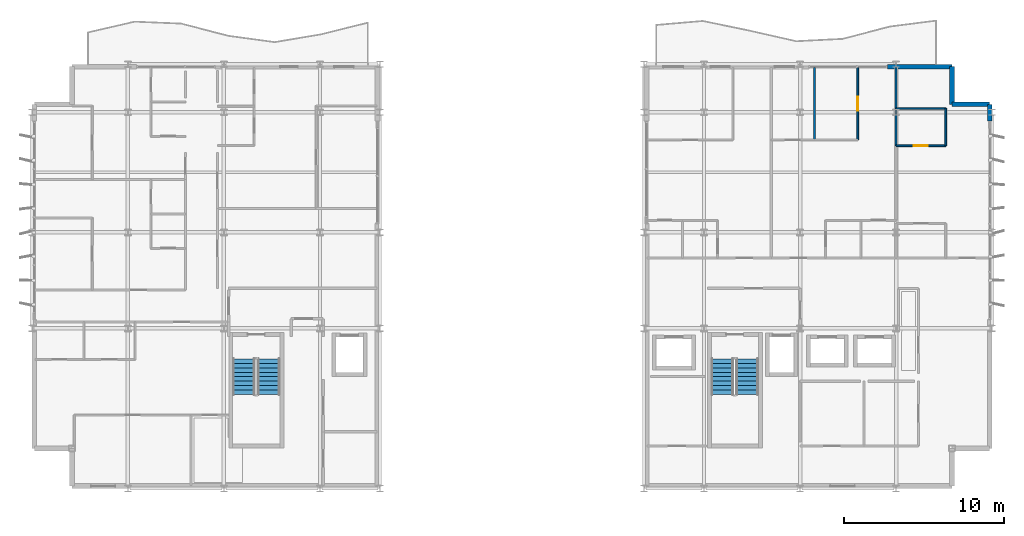
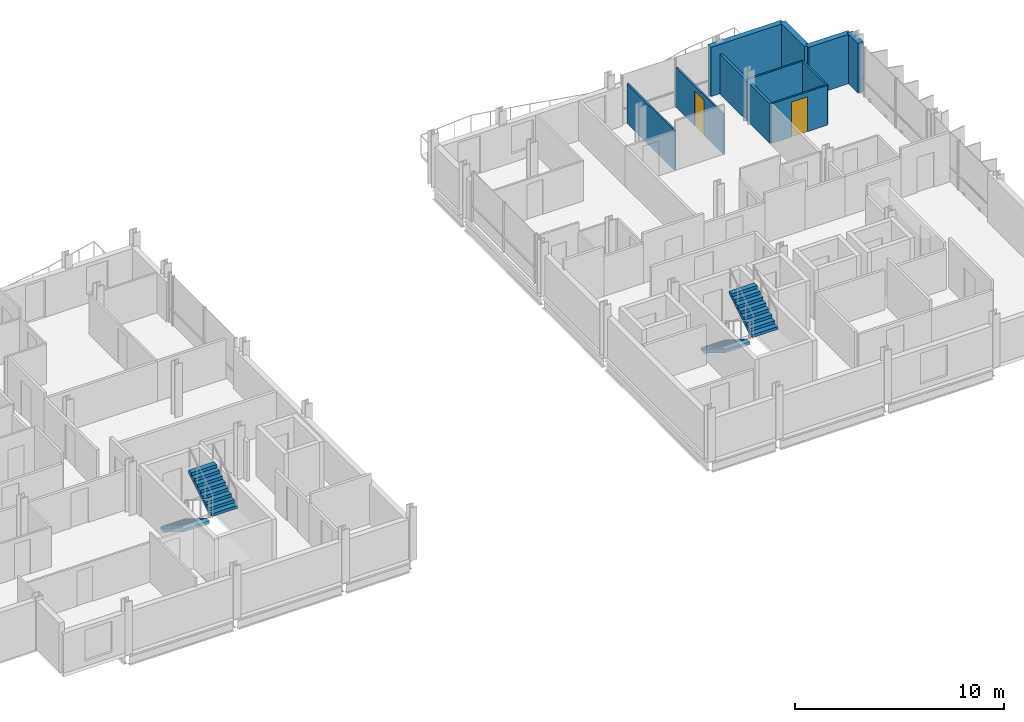
# One storey, part 25 of 29: 11 walls, 4 stair flights, 2 doors, 2 openings, 2 elements without a shape of their own.
"""IFC4 building model written with IfcOpenShell, lengths in metres."""

from ifc_helpers import new_model, si_unit, direction, frame, frame_2d, origin, place, context, subcontext, project, spatial, polyline, rectangle, outline, extrude, material, layer, layer_set, type_object, element, fill, aggregate, save


model = new_model("IFC4")

# Units and contexts
model_context = context("Model", 3, precision=1e-05, world=origin(), true_north=direction((0.0, 1.0)))
body_context = subcontext(model_context, "Body", "Model", "MODEL_VIEW")
ifc_project = project(units=[si_unit("LENGTHUNIT", "METRE"), si_unit("AREAUNIT", "SQUARE_METRE"), si_unit("VOLUMEUNIT", "CUBIC_METRE"), si_unit("PLANEANGLEUNIT", "RADIAN"), si_unit("MASSUNIT", "GRAM", prefix="KILO")], contexts=[model_context])

# Site, building, storey
site_placement = place(None, origin())
site = spatial("IfcSite", under=ifc_project, at=site_placement, CompositionType="ELEMENT")
building_placement = place(site_placement, origin())
building = spatial("IfcBuilding", under=site, at=building_placement, Name="Brevholm Reach", CompositionType="ELEMENT")
storey_placement = place(building_placement, frame((0.0, 0.0, 198.699951171875)))
storey = spatial("IfcBuildingStorey", under=building, at=storey_placement, Name="L60", CompositionType="ELEMENT", Elevation=198.699951171875)

# Walls
ifc_material_1 = material(Name="Concrete C40/50", Category="concrete")
ifc_layer_1 = layer(ifc_material_1, 0.300048828125)
ifc_layer_set_1 = layer_set([ifc_layer_1], Name="Concrete C40/50")
wall_type_1 = type_object("IfcWallType", Name="WAL-EXT-300", PredefinedType="STANDARD", material=ifc_layer_set_1)
for number, where, z_axis, x_axis, name in (
    (1, (59.85009765625, 24.0, 0.0), (0.0, 0.0, 1.0), (-1.0, 0.0, 0.0), "L60 Facade Wall WAL-L60-EW-CNE1"),
    (2, (57.5, 24.0, 0.0), (0.0, 0.0, 1.0), (0.0, 1.0, 0.0), "L60 Facade Wall WAL-L60-EW-CNE2"),
):
    element("IfcWall", number, at=place(storey_placement, frame(where, z_axis=z_axis, x_axis=x_axis)), inside=storey, type_object=wall_type_1, Name=name, PredefinedType="STANDARD", context=body_context, shape_type="SweptSolid", body=[
        extrude(rectangle(XDim=2.35009765625, YDim=0.300048828125, at=frame_2d((1.175048828125, 0.0))), origin(), (0.0, 0.0, 1.0), 2.89013671875),
    ])
wall_1_placement = place(storey_placement, frame((59.85009765625, 22.949951171875, 0.0), z_axis=(0.0, 0.0, 1.0), x_axis=(0.0, 1.0, 0.0)))
element("IfcWall", 3, at=wall_1_placement, inside=storey, type_object=wall_type_1, Name="L60 Facade Wall WAL-L60-EW-EN", PredefinedType="STANDARD", context=body_context, shape_type="SweptSolid", body=[
    extrude(rectangle(XDim=1.050048828125, YDim=0.300048828125, at=frame_2d((0.52490234375, 0.0))), origin(), (0.0, 0.0, 1.0), 2.89013671875),
])
wall_2_placement = place(storey_placement, frame((53.449951171875, 26.35009765625, 0.0), z_axis=(0.0, 0.0, 1.0), x_axis=(1.0, 0.0, 0.0)))
element("IfcWall", 4, at=wall_2_placement, inside=storey, type_object=wall_type_1, Name="L60 Facade Wall WAL-L60-EW-NP2", PredefinedType="STANDARD", context=body_context, shape_type="SweptSolid", body=[
    extrude(rectangle(XDim=4.050048828125, YDim=0.300048828125, at=frame_2d((2.02490234375, 0.0))), origin(), (0.0, 0.0, 1.0), 2.89013671875),
])
ifc_material_2 = material(Name="Moisture-Resistant Acoustic Gypsum Stud Partition 100 mm", Category="gypsum")
ifc_layer_2 = layer(ifc_material_2, 0.10009765625)
ifc_layer_set_2 = layer_set([ifc_layer_2], Name="Moisture-Resistant Acoustic Gypsum Stud Partition 100 mm")
wall_type_2 = type_object("IfcWallType", Name="WAL-PRT-100", PredefinedType="PARTITIONING", material=ifc_layer_set_2)
wall_3_placement = place(storey_placement, frame((48.89990234375, 21.778076171875, 0.0), z_axis=(0.0, 0.0, 1.0), x_axis=(0.0, 1.0, 0.0)))
element("IfcWall", 5, at=wall_3_placement, inside=storey, type_object=wall_type_2, Name="L60 Internal Partition 083", PredefinedType="PARTITIONING", context=body_context, shape_type="SweptSolid", body=[
    extrude(rectangle(XDim=4.52197265625, YDim=0.10009765625, at=frame_2d((2.260986328125, 0.0))), origin(), (0.0, 0.0, 1.0), 2.325439453125),
])

# Wall, opening, door
wall_4_placement = place(storey_placement, frame((51.60009765625, 21.778076171875, 0.0), z_axis=(0.0, 0.0, 1.0), x_axis=(0.0, 1.0, 0.0)))
wall_4 = element("IfcWall", 6, at=wall_4_placement, inside=storey, type_object=wall_type_2, Name="L60 Internal Partition 086", PredefinedType="PARTITIONING", context=body_context, shape_type="SweptSolid", body=[
    extrude(rectangle(XDim=4.52197265625, YDim=0.10009765625, at=frame_2d((2.260986328125, 0.0))), origin(), (0.0, 0.0, 1.0), 2.325439453125),
])
opening_1_placement = place(wall_4_placement, frame((1.821044921875, 0.0, 0.0)))
opening_1 = element("IfcOpeningElement", 7, at=opening_1_placement, cuts=wall_4, Name="Opening ID-01", PredefinedType="OPENING", context=body_context, shape_type="SweptSolid", body=[
    extrude(rectangle(XDim=0.8798828125, YDim=2.0400390625, at=frame_2d((0.43994140625, 1.02001953125))), frame((0.0, 0.06005859375, 0.0), z_axis=(0.0, -1.0, 0.0), x_axis=(1.0, 0.0, 0.0)), (0.0, 0.0, 1.0), 0.1201171875),
])
ifc_material_3 = material(Name="Lacquered Ash Solid-Core Acoustic Internal Door", Category="timber")
door_type = type_object("IfcDoorType", Name="DOR-INT-880", OperationType="NOTDEFINED", PredefinedType="DOOR", material=ifc_material_3)
door_1_placement = place(opening_1_placement, origin())
door_1 = element("IfcDoor", 8, at=door_1_placement, inside=storey, type_object=door_type, Name="L60 Internal Door 038", OperationType="SINGLE_SWING_LEFT", OverallHeight=2.0400390625, OverallWidth=0.8798828125, PredefinedType="DOOR", context=body_context, shape_type="SweptSolid", body=[
    extrude(rectangle(XDim=0.8798828125, YDim=2.0400390625, at=frame_2d((0.43994140625, 1.02001953125))), frame((0.0, 0.02490234375, 0.0), z_axis=(0.0, -1.0, 0.0), x_axis=(1.0, 0.0, 0.0)), (0.0, 0.0, 1.0), 0.050048828125),
])
fill(opening_1, door_1)

wall_5_placement = place(storey_placement, frame((54.00390625, 21.4130859375, 0.0), z_axis=(0.0, 0.0, 1.0), x_axis=(1.0, 0.0, 0.0)))
wall_5 = element("IfcWall", 9, at=wall_5_placement, inside=storey, type_object=wall_type_2, Name="L60 Internal Partition 092", PredefinedType="PARTITIONING", context=body_context, shape_type="SweptSolid", body=[
    extrude(rectangle(XDim=3.09619140625, YDim=0.10009765625, at=frame_2d((1.548095703125, 0.0))), origin(), (0.0, 0.0, 1.0), 2.325439453125),
])
opening_2_placement = place(wall_5_placement, frame((1.10791015625, 0.0, 0.0)))
opening_2 = element("IfcOpeningElement", 10, at=opening_2_placement, cuts=wall_5, Name="Opening ID-01", PredefinedType="OPENING", context=body_context, shape_type="SweptSolid", body=[
    extrude(rectangle(XDim=0.8798828125, YDim=2.0400390625, at=frame_2d((0.43994140625, 1.02001953125))), frame((0.0, 0.06005859375, 0.0), z_axis=(0.0, -1.0, 0.0), x_axis=(1.0, 0.0, 0.0)), (0.0, 0.0, 1.0), 0.1201171875),
])
door_2_placement = place(opening_2_placement, origin())
door_2 = element("IfcDoor", 11, at=door_2_placement, inside=storey, type_object=door_type, Name="L60 Internal Door 040", OperationType="SINGLE_SWING_LEFT", OverallHeight=2.0400390625, OverallWidth=0.8798828125, PredefinedType="DOOR", context=body_context, shape_type="SweptSolid", body=[
    extrude(rectangle(XDim=0.8798828125, YDim=2.0400390625, at=frame_2d((0.43994140625, 1.02001953125))), frame((0.0, 0.02490234375, 0.0), z_axis=(0.0, -1.0, 0.0), x_axis=(1.0, 0.0, 0.0)), (0.0, 0.0, 1.0), 0.050048828125),
])
fill(opening_2, door_2)

# Walls
wall_6_placement = place(storey_placement, frame((57.10009765625, 21.4130859375, 0.0), z_axis=(0.0, 0.0, 1.0), x_axis=(0.0, 1.0, 0.0)))
element("IfcWall", 12, at=wall_6_placement, inside=storey, type_object=wall_type_2, Name="L60 Internal Partition 093", PredefinedType="PARTITIONING", context=body_context, shape_type="SweptSolid", body=[
    extrude(rectangle(XDim=2.3369140625, YDim=0.10009765625, at=frame_2d((1.16845703125, 0.0))), origin(), (0.0, 0.0, 1.0), 2.325439453125),
])
wall_7_placement = place(storey_placement, frame((54.00390625, 23.75, 0.0), z_axis=(0.0, 0.0, 1.0), x_axis=(1.0, 0.0, 0.0)))
element("IfcWall", 13, at=wall_7_placement, inside=storey, type_object=wall_type_2, Name="L60 Internal Partition 094", PredefinedType="PARTITIONING", context=body_context, shape_type="SweptSolid", body=[
    extrude(rectangle(XDim=3.09619140625, YDim=0.10009765625, at=frame_2d((1.548095703125, 0.0))), origin(), (0.0, 0.0, 1.0), 2.325439453125),
])
ifc_material_4 = material(Name="Twin-Stud Acoustic Fire-Rated Gypsum Partition 140 mm", Category="gypsum")
ifc_layer_3 = layer(ifc_material_4, 0.139892578125)
ifc_layer_set_3 = layer_set([ifc_layer_3], Name="Twin-Stud Acoustic Fire-Rated Gypsum Partition 140 mm")
wall_type_3 = type_object("IfcWallType", Name="WAL-PRT-140", PredefinedType="PARTITIONING", material=ifc_layer_set_3)
wall_8_placement = place(storey_placement, frame((54.0, 21.401611328125, 0.0), z_axis=(0.0, 0.0, 1.0), x_axis=(0.0, 1.0, 0.0)))
element("IfcWall", 14, at=wall_8_placement, inside=storey, type_object=wall_type_3, Name="L60 Internal Partition 087", PredefinedType="PARTITIONING", context=body_context, shape_type="SweptSolid", body=[
    extrude(rectangle(XDim=2.359619140625, YDim=0.139892578125, at=frame_2d((1.1796875, 0.0))), origin(), (0.0, 0.0, 1.0), 2.325439453125),
])
wall_9_placement = place(storey_placement, frame((54.0, 23.74267578125, 0.0), z_axis=(0.0, 0.0, 1.0), x_axis=(0.0, 1.0, 0.0)))
element("IfcWall", 15, at=wall_9_placement, inside=storey, type_object=wall_type_3, Name="L60 Internal Partition 089", PredefinedType="PARTITIONING", context=body_context, shape_type="SweptSolid", body=[
    extrude(rectangle(XDim=2.557373046875, YDim=0.139892578125, at=frame_2d((1.27880859375, 0.0))), origin(), (0.0, 0.0, 1.0), 2.325439453125),
])

# Stair, stair flights
ifc_material_5 = material(Name="Precast Concrete C40/50", Category="concrete")
stair_type = type_object("IfcStairType", Name="STR-ESC-1400", PredefinedType="DOUBLE_RETURN_STAIR", material=ifc_material_5)
stair_1_placement = place(storey_placement, origin())
stair_1 = element("IfcStair", 16, at=stair_1_placement, inside=storey, type_object=stair_type, Name="L60 ST-1", PredefinedType="DOUBLE_RETURN_STAIR")
ifc_material_6 = material(Name="Precast Concrete C40/50", Category="concrete")
ifc_layer_4 = layer(ifc_material_6, 0.18505859375)
ifc_layer_set_4 = layer_set([ifc_layer_4], Name="Precast Concrete C40/50")
stair_flight_type = type_object("IfcStairFlightType", Name="STF-PRC-185", PredefinedType="STRAIGHT", material=ifc_layer_set_4)
stair_flight_1_placement = place(storey_placement, frame((13.25, 8.10009765625, 0.0), z_axis=(0.0, 0.0, 1.0), x_axis=(0.0, -1.0, 0.0)))
stair_flight_1 = element("IfcStairFlight", 17, at=stair_flight_1_placement, type_object=stair_flight_type, Name="ST-1 flight 1", NumberOfRisers=9, NumberOfTreads=8, PredefinedType="STRAIGHT", RiserHeight=0.172222222, TreadLength=0.28, context=body_context, shape_type="SweptSolid", body=[
    extrude(outline(polyline([(0.0, 0.0), (0.0, 0.172119140625), (0.280029296875, 0.172119140625), (0.280029296875, 0.344482421875), (0.56005859375, 0.344482421875), (0.56005859375, 0.5166015625), (0.840087890625, 0.5166015625), (0.840087890625, 0.68896484375), (1.1201171875, 0.68896484375), (1.1201171875, 0.861083984375), (1.39990234375, 0.861083984375), (1.39990234375, 1.033447265625), (1.679931640625, 1.033447265625), (1.679931640625, 1.20556640625), (1.9599609375, 1.20556640625), (1.9599609375, 1.377685546875), (2.239990234375, 1.377685546875), (2.239990234375, 1.550048828125), (2.239990234375, 1.201904296875), (0.2861328125, 0.0), (0.0, 0.0)])), frame((0.0, 0.699951171875, 0.0), z_axis=(0.0, -1.0, 0.0), x_axis=(1.0, 0.0, 0.0)), (0.0, 0.0, 1.0), 1.39990234375),
])
stair_flight_2_placement = place(storey_placement, frame((14.800048828125, 5.860107421875, 1.550048828125), z_axis=(0.0, 0.0, 1.0), x_axis=(0.0, 1.0, 0.0)))
stair_flight_2 = element("IfcStairFlight", 18, at=stair_flight_2_placement, type_object=stair_flight_type, Name="ST-1 flight 2", NumberOfRisers=9, NumberOfTreads=8, PredefinedType="STRAIGHT", RiserHeight=0.172222222, TreadLength=0.28, context=body_context, shape_type="SweptSolid", body=[
    extrude(outline(polyline([(0.0, 0.0), (0.0, 0.172119140625), (0.280029296875, 0.172119140625), (0.280029296875, 0.344482421875), (0.56005859375, 0.344482421875), (0.56005859375, 0.5166015625), (0.840087890625, 0.5166015625), (0.840087890625, 0.68896484375), (1.1201171875, 0.68896484375), (1.1201171875, 0.861083984375), (1.39990234375, 0.861083984375), (1.39990234375, 1.033447265625), (1.679931640625, 1.033447265625), (1.679931640625, 1.20556640625), (1.9599609375, 1.20556640625), (1.9599609375, 1.377685546875), (2.239990234375, 1.377685546875), (2.239990234375, 1.550048828125), (2.239990234375, 1.201904296875), (0.2861328125, 0.0), (0.0, 0.0)])), frame((0.0, 0.699951171875, 0.0), z_axis=(0.0, -1.0, 0.0), x_axis=(1.0, 0.0, 0.0)), (0.0, 0.0, 1.0), 1.39990234375),
])
aggregate(stair_1, [stair_flight_1, stair_flight_2])

stair_2_placement = place(storey_placement, origin())
stair_2 = element("IfcStair", 19, at=stair_2_placement, inside=storey, type_object=stair_type, Name="L60 ST-2", PredefinedType="DOUBLE_RETURN_STAIR")
stair_flight_3_placement = place(storey_placement, frame((43.14990234375, 8.10009765625, 0.0), z_axis=(0.0, 0.0, 1.0), x_axis=(0.0, -1.0, 0.0)))
stair_flight_3 = element("IfcStairFlight", 20, at=stair_flight_3_placement, type_object=stair_flight_type, Name="ST-2 flight 1", NumberOfRisers=9, NumberOfTreads=8, PredefinedType="STRAIGHT", RiserHeight=0.172222222, TreadLength=0.28, context=body_context, shape_type="SweptSolid", body=[
    extrude(outline(polyline([(0.0, 0.0), (0.0, 0.172119140625), (0.280029296875, 0.172119140625), (0.280029296875, 0.344482421875), (0.56005859375, 0.344482421875), (0.56005859375, 0.5166015625), (0.840087890625, 0.5166015625), (0.840087890625, 0.68896484375), (1.1201171875, 0.68896484375), (1.1201171875, 0.861083984375), (1.39990234375, 0.861083984375), (1.39990234375, 1.033447265625), (1.679931640625, 1.033447265625), (1.679931640625, 1.20556640625), (1.9599609375, 1.20556640625), (1.9599609375, 1.377685546875), (2.239990234375, 1.377685546875), (2.239990234375, 1.550048828125), (2.239990234375, 1.201904296875), (0.2861328125, 0.0), (0.0, 0.0)])), frame((0.0, 0.699951171875, 0.0), z_axis=(0.0, -1.0, 0.0), x_axis=(1.0, 0.0, 0.0)), (0.0, 0.0, 1.0), 1.39990234375),
])
stair_flight_4_placement = place(storey_placement, frame((44.699951171875, 5.860107421875, 1.550048828125), z_axis=(0.0, 0.0, 1.0), x_axis=(0.0, 1.0, 0.0)))
stair_flight_4 = element("IfcStairFlight", 21, at=stair_flight_4_placement, type_object=stair_flight_type, Name="ST-2 flight 2", NumberOfRisers=9, NumberOfTreads=8, PredefinedType="STRAIGHT", RiserHeight=0.172222222, TreadLength=0.28, context=body_context, shape_type="SweptSolid", body=[
    extrude(outline(polyline([(0.0, 0.0), (0.0, 0.172119140625), (0.280029296875, 0.172119140625), (0.280029296875, 0.344482421875), (0.56005859375, 0.344482421875), (0.56005859375, 0.5166015625), (0.840087890625, 0.5166015625), (0.840087890625, 0.68896484375), (1.1201171875, 0.68896484375), (1.1201171875, 0.861083984375), (1.39990234375, 0.861083984375), (1.39990234375, 1.033447265625), (1.679931640625, 1.033447265625), (1.679931640625, 1.20556640625), (1.9599609375, 1.20556640625), (1.9599609375, 1.377685546875), (2.239990234375, 1.377685546875), (2.239990234375, 1.550048828125), (2.239990234375, 1.201904296875), (0.2861328125, 0.0), (0.0, 0.0)])), frame((0.0, 0.699951171875, 0.0), z_axis=(0.0, -1.0, 0.0), x_axis=(1.0, 0.0, 0.0)), (0.0, 0.0, 1.0), 1.39990234375),
])
aggregate(stair_2, [stair_flight_3, stair_flight_4])

save(model, "model.ifc")
